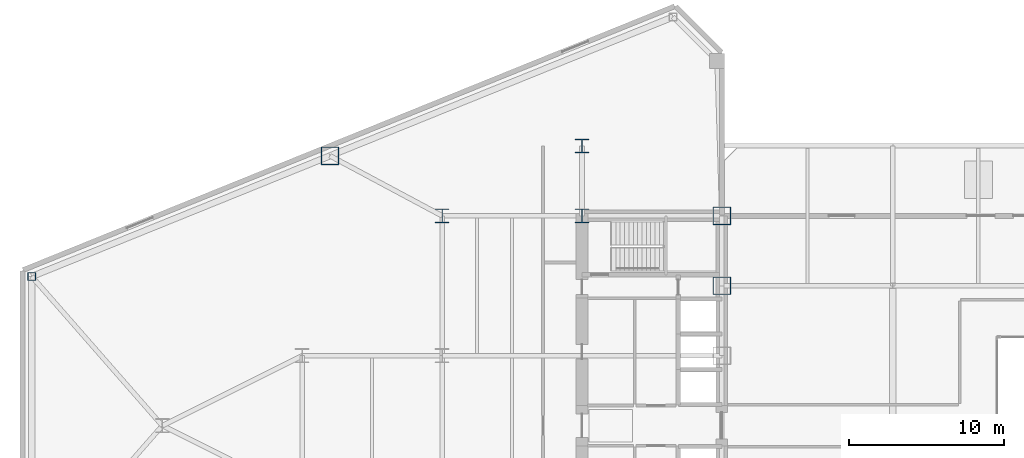
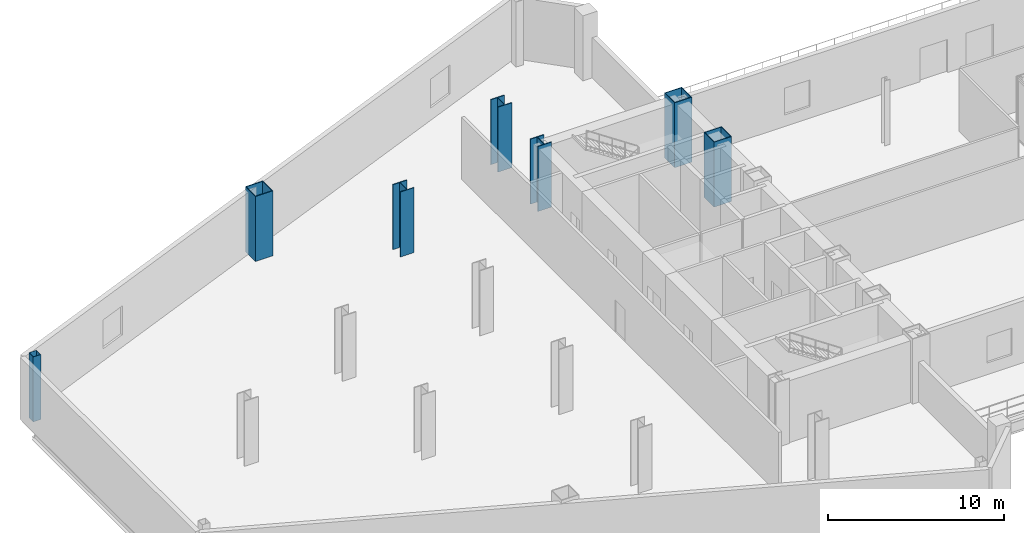
# One storey, part 3 of 23: 7 columns.
"""IFC4 building model written with IfcOpenShell, lengths in metres."""

from ifc_helpers import new_model, si_unit, direction, frame, origin, origin_2d, place, context, subcontext, project, spatial, hollow_rectangle, i_section, extrude, source, transform, mapped, material, material_profile, profile_set, type_object, type_shapes, element, save


model = new_model("IFC4")

# Units and contexts
model_context = context("Model", 3, precision=1e-05, world=origin(), true_north=direction((0.0, 1.0)))
body_context = subcontext(model_context, "Body", "Model", "MODEL_VIEW")
ifc_project = project(units=[si_unit("LENGTHUNIT", "METRE"), si_unit("AREAUNIT", "SQUARE_METRE"), si_unit("VOLUMEUNIT", "CUBIC_METRE"), si_unit("PLANEANGLEUNIT", "RADIAN"), si_unit("MASSUNIT", "GRAM", prefix="KILO")], contexts=[model_context])

# Site, building, storey
site_placement = place(None, origin())
site = spatial("IfcSite", under=ifc_project, at=site_placement, CompositionType="ELEMENT")
building_placement = place(site_placement, origin())
building = spatial("IfcBuilding", under=site, at=building_placement, Name="Seokmaru Belvedere", CompositionType="ELEMENT")
storey_placement = place(building_placement, frame((0.0, 0.0, 14.39990234375)))
storey = spatial("IfcBuildingStorey", under=building, at=storey_placement, Name="L03", CompositionType="ELEMENT", Elevation=14.39990234375)

# Columns
ifc_material_1 = material(Name="Steel HSA650 (650 MPa)", Category="steel")
ifc_material_profile_1 = material_profile(ifc_material_1, hollow_rectangle(XDim=1.14990234375, YDim=1.14990234375, WallThickness=0.048095703125, at=origin_2d()), Name="BOX-1150x1150x48")
ifc_profile_set_1 = profile_set([ifc_material_profile_1], Name="Steel HSA650 (650 MPa)")
column_type_1 = type_object("IfcColumnType", Name="Portal Spine Column BOX-1150", PredefinedType="COLUMN", material=ifc_profile_set_1)
shared_shape_1 = source(origin(), body_context, "Body", "SweptSolid", [
    extrude(hollow_rectangle(XDim=1.14990234375, YDim=1.14990234375, WallThickness=0.048095703125, at=origin_2d()), origin(), (0.0, 0.0, 1.0), 4.5),
])
type_shapes(column_type_1, [shared_shape_1])
for number, where, z_axis, x_axis, name in (
    (1, (-27.5, 9.0, 0.0), (0.0, 0.0, 1.0), (1.0, 0.0, 0.0), "L03 Column WS5"),
    (2, (-27.5, 13.5, 0.0), (0.0, 0.0, 1.0), (1.0, 0.0, 0.0), "L03 Column WS6"),
    (3, (-52.715576171875, 17.360595703125, 0.0), (0.0, 0.0, 1.0), (1.0, 0.0, 0.0), "L03 Column WFLK_N2"),
):
    element("IfcColumn", number, at=place(storey_placement, frame(where, z_axis=z_axis, x_axis=x_axis)), inside=storey, type_object=column_type_1, Name=name, PredefinedType="COLUMN", context=body_context, shape_type="MappedRepresentation", body=[
        mapped(shared_shape_1, transform((0.0, 0.0, 0.0), scale=1.0)),
    ])
ifc_material_profile_2 = material_profile(ifc_material_1, i_section(OverallWidth=0.89990234375, OverallDepth=0.89990234375, WebThickness=0.035888671875, FlangeThickness=0.054931640625, at=origin_2d()), Name="H-900x900x36x55")
ifc_profile_set_2 = profile_set([ifc_material_profile_2], Name="Steel HSA650 (650 MPa)")
column_type_2 = type_object("IfcColumnType", Name="Lower Interior Column H-900", PredefinedType="COLUMN", material=ifc_profile_set_2)
shared_shape_2 = source(origin(), body_context, "Body", "SweptSolid", [
    extrude(i_section(OverallWidth=0.89990234375, OverallDepth=0.89990234375, WebThickness=0.035888671875, FlangeThickness=0.054931640625, at=origin_2d()), origin(), (0.0, 0.0, 1.0), 4.5),
])
type_shapes(column_type_2, [shared_shape_2])
for number, where, z_axis, x_axis, name in (
    (4, (-36.5, 13.5, 0.0), (0.0, 0.0, 1.0), (1.0, 0.0, 0.0), "L03 Column WC3"),
    (5, (-36.5, 18.0, 0.0), (0.0, 0.0, 1.0), (1.0, 0.0, 0.0), "L03 Column WC4"),
    (6, (-45.5, 13.5, 0.0), (0.0, 0.0, 1.0), (1.0, 0.0, 0.0), "L03 Column WG5_4"),
):
    element("IfcColumn", number, at=place(storey_placement, frame(where, z_axis=z_axis, x_axis=x_axis)), inside=storey, type_object=column_type_2, Name=name, PredefinedType="COLUMN", context=body_context, shape_type="MappedRepresentation", body=[
        mapped(shared_shape_2, transform((0.0, 0.0, 0.0), scale=1.0)),
    ])
ifc_material_2 = material(Name="Steel SM355 (355 MPa)", Category="steel")
ifc_material_profile_3 = material_profile(ifc_material_2, hollow_rectangle(XDim=0.5, YDim=0.5, WallThickness=0.02001953125, at=origin_2d()), Name="HSS-500x500x20")
ifc_profile_set_3 = profile_set([ifc_material_profile_3], Name="Steel SM355 (355 MPa)")
column_type_3 = type_object("IfcColumnType", Name="Perimeter Facet Column HSS-500", PredefinedType="COLUMN", material=ifc_profile_set_3)
shared_shape_3 = source(origin(), body_context, "Body", "SweptSolid", [
    extrude(hollow_rectangle(XDim=0.5, YDim=0.5, WallThickness=0.02001953125, at=origin_2d()), origin(), (0.0, 0.0, 1.0), 4.5),
])
type_shapes(column_type_3, [shared_shape_3])
column_placement = place(storey_placement, frame((-71.89990234375, 9.595703125, 0.0), z_axis=(0.0, 0.0, 1.0), x_axis=(1.0, 0.0, 0.0)))
element("IfcColumn", 7, at=column_placement, inside=storey, type_object=column_type_3, Name="L03 Column WF4", PredefinedType="COLUMN", context=body_context, shape_type="MappedRepresentation", body=[
    mapped(shared_shape_3, transform((0.0, 0.0, 0.0), scale=1.0)),
])

save(model, "model.ifc")
